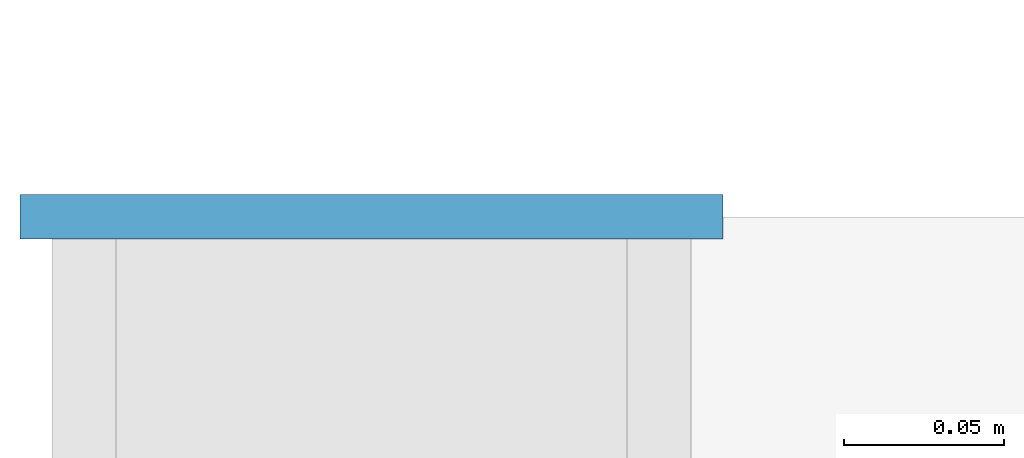
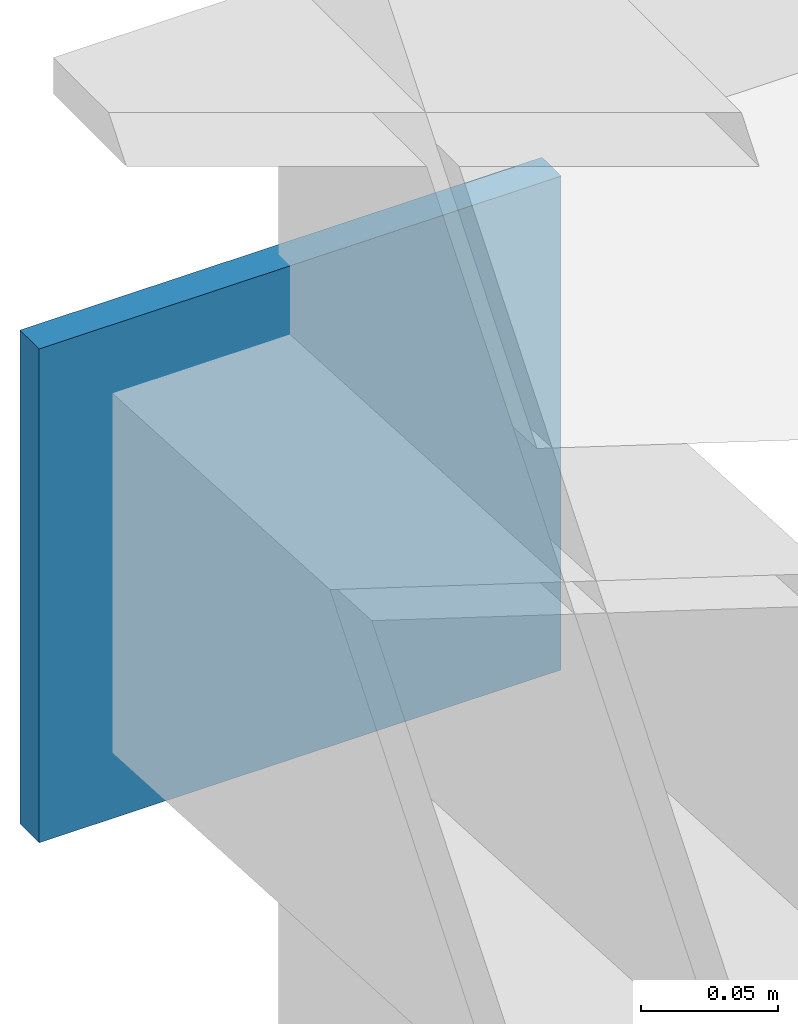
# One storey, part 8 of 13: 1 plate.
"""IFC4 building model written with IfcOpenShell, lengths in metres."""

from ifc_helpers import new_model, si_unit, direction, frame, origin, origin_2d, place, context, subcontext, project, spatial, rectangle, extrude, material, layer, layer_set, type_object, element, save


model = new_model("IFC4")

# Units and contexts
model_context = context("Model", 3, precision=1e-05, world=origin(), true_north=direction((0.0, 1.0)))
body_context = subcontext(model_context, "Body", "Model", "MODEL_VIEW")
ifc_project = project(units=[si_unit("LENGTHUNIT", "METRE"), si_unit("AREAUNIT", "SQUARE_METRE"), si_unit("VOLUMEUNIT", "CUBIC_METRE"), si_unit("PLANEANGLEUNIT", "RADIAN"), si_unit("MASSUNIT", "GRAM", prefix="KILO")], contexts=[model_context])

# Site, building, storey
site_placement = place(None, origin())
site = spatial("IfcSite", under=ifc_project, at=site_placement, CompositionType="ELEMENT")
building_placement = place(site_placement, origin())
building = spatial("IfcBuilding", under=site, at=building_placement, Name="Celorna Specialist Clinic", CompositionType="ELEMENT")
storey_placement = place(building_placement, frame((0.0, 0.0, 27.300048828125)))
storey = spatial("IfcBuildingStorey", under=building, at=storey_placement, Name="RF", CompositionType="ELEMENT", Elevation=27.300048828125)

# Plate
ifc_material = material(Name="Steel S355", Category="steel")
ifc_layer = layer(ifc_material, 0.01611328125, Name="Steel S355")
ifc_layer_set = layer_set([ifc_layer], Name="Steel S355")
plate_type = type_object("IfcPlateType", Name="EP-04", PredefinedType="SHEET", material=ifc_layer_set)
plate_placement = place(storey_placement, frame((46.800048828125, 116.0, -0.39208984375), z_axis=(0.0, 0.0, 1.0), x_axis=(1.0, 0.0, 0.0)))
element("IfcPlate", 1, at=plate_placement, inside=storey, type_object=plate_type, Name="Rafter chord cap plate ROOF-V4-NORTH", PredefinedType="SHEET", context=body_context, shape_type="SweptSolid", body=[
    extrude(rectangle(XDim=0.219970703125, YDim=0.013916015625, at=origin_2d()), origin(), (0.0, 0.0, 1.0), 0.219970703125),
])

save(model, "model.ifc")
